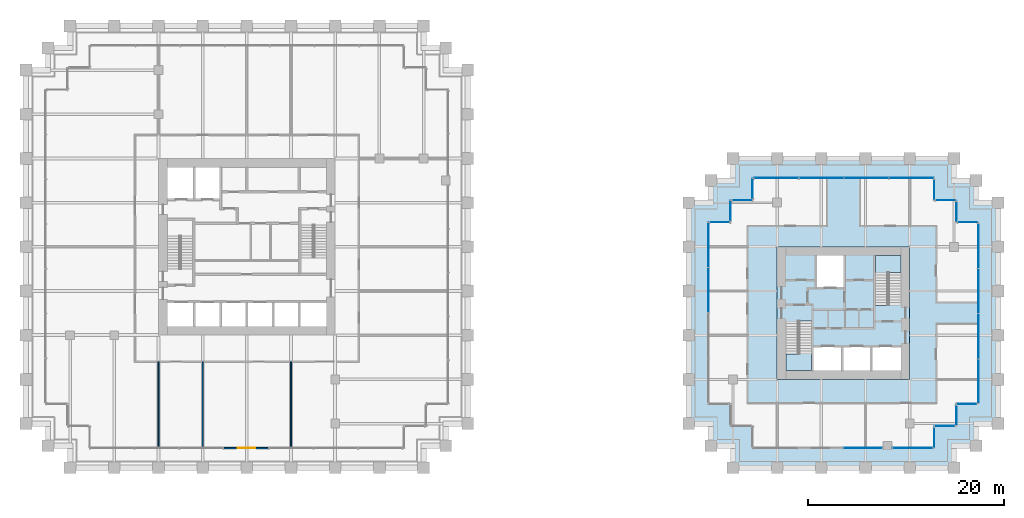
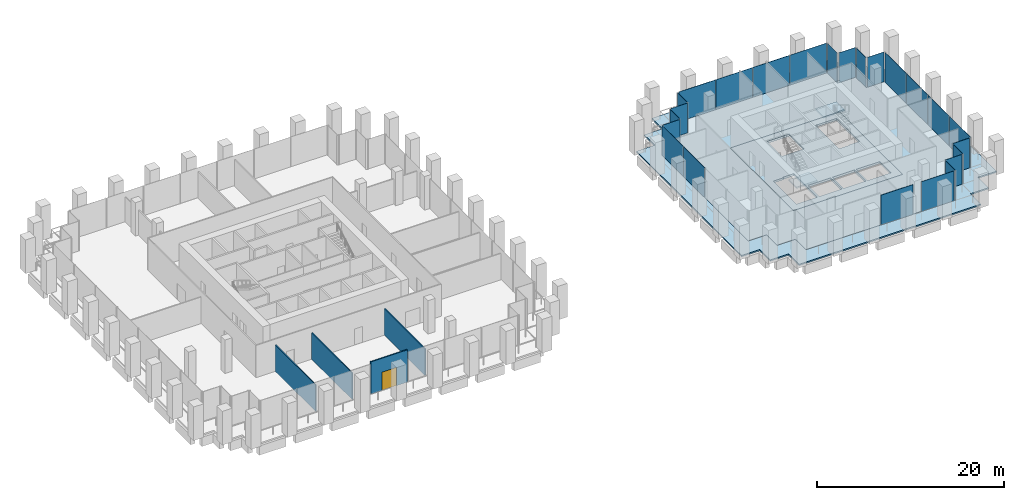
# One storey, part 29 of 36: 24 plates, 5 slabs, 4 walls, 1 door, 1 opening, 19 elements without a shape of their own.
"""IFC4 building model written with IfcOpenShell, lengths in metres."""

from ifc_helpers import new_model, si_unit, direction, frame, frame_2d, origin, origin_2d, place, context, subcontext, project, spatial, polyline, rectangle, outline, extrude, material, layer, layer_set, type_object, element, fill, aggregate, save


model = new_model("IFC4")

# Units and contexts
model_context = context("Model", 3, precision=1e-05, world=origin(), true_north=direction((0.0, 1.0)))
body_context = subcontext(model_context, "Body", "Model", "MODEL_VIEW")
ifc_project = project(units=[si_unit("LENGTHUNIT", "METRE"), si_unit("AREAUNIT", "SQUARE_METRE"), si_unit("VOLUMEUNIT", "CUBIC_METRE"), si_unit("PLANEANGLEUNIT", "RADIAN"), si_unit("MASSUNIT", "GRAM", prefix="KILO")], contexts=[model_context])

# Site, building, storey
site_placement = place(None, origin())
site = spatial("IfcSite", under=ifc_project, at=site_placement, CompositionType="ELEMENT")
building_placement = place(site_placement, origin())
building = spatial("IfcBuilding", under=site, at=building_placement, Name="Altepetl Exchange Towers", CompositionType="ELEMENT")
storey_placement = place(building_placement, frame((0.0, 0.0, 38.60009765625)))
storey = spatial("IfcBuildingStorey", under=building, at=storey_placement, Name="L08", CompositionType="ELEMENT", Elevation=38.60009765625)

# Slabs
ifc_material_1 = material(Name="Concrete C40/50", Category="concrete")
ifc_layer_1 = layer(ifc_material_1, 0.175048828125)
ifc_layer_set_1 = layer_set([ifc_layer_1], Name="Concrete C40/50")
slab_type_1 = type_object("IfcSlabType", Name="Composite floor slab 175", PredefinedType="FLOOR", material=ifc_layer_set_1)
slab_1_placement = place(storey_placement, frame((0.0, 0.0, -0.175048828125)))
element("IfcSlab", 1, at=slab_1_placement, inside=storey, type_object=slab_type_1, Name="slab:B:L08:strip0", PredefinedType="FLOOR", context=body_context, shape_type="SweptSolid", body=[
    extrude(outline(polyline([(98.75, 54.25), (98.75, 52.0), (96.5, 52.0), (96.5, 33.5), (98.75, 33.5), (98.75, 31.25), (101.0, 31.25), (101.0, 29.0), (119.5, 29.0), (119.5, 31.25), (121.75, 31.25), (121.75, 33.5), (124.0, 33.5), (124.0, 52.0), (121.75, 52.0), (121.75, 54.25), (119.5, 54.25), (119.5, 56.5), (101.0, 56.5), (101.0, 54.25), (98.75, 54.25)]), holes=[polyline([(117.0, 49.5), (117.0, 36.0), (103.5, 36.0), (103.5, 49.5), (117.0, 49.5)])]), origin(), (0.0, 0.0, 1.0), 0.175048828125),
])
ifc_layer_2 = layer(ifc_material_1, 0.27490234375)
ifc_layer_set_2 = layer_set([ifc_layer_2], Name="Concrete C40/50")
slab_type_2 = type_object("IfcSlabType", Name="Core floor slab 275", PredefinedType="FLOOR", material=ifc_layer_set_2)
slab_2_placement = place(storey_placement, frame((0.0, 0.0, -0.275146484375)))
element("IfcSlab", 2, at=slab_2_placement, inside=storey, type_object=slab_type_2, Name="slab:B:L08:core0", PredefinedType="FLOOR", context=body_context, shape_type="SweptSolid", body=[
    extrude(outline(polyline([(103.5, 36.0), (117.0, 36.0), (117.0, 49.5), (103.5, 49.5), (103.5, 36.0)]), holes=[polyline([(107.199951171875, 36.89990234375), (107.199951171875, 39.300048828125), (110.032958984375, 39.300048828125), (110.032958984375, 36.89990234375), (107.199951171875, 36.89990234375)]), polyline([(110.23291015625, 39.300048828125), (112.967041015625, 39.300048828125), (112.967041015625, 36.89990234375), (110.23291015625, 36.89990234375), (110.23291015625, 39.300048828125)]), polyline([(113.1669921875, 39.300048828125), (116.10009765625, 39.300048828125), (116.10009765625, 36.89990234375), (113.1669921875, 36.89990234375), (113.1669921875, 39.300048828125)]), polyline([(107.0, 36.89990234375), (104.39990234375, 36.89990234375), (104.39990234375, 41.85009765625), (105.64990234375, 41.85009765625), (105.64990234375, 41.948974609375), (107.0, 41.948974609375), (107.0, 36.89990234375)]), polyline([(116.10009765625, 48.60009765625), (116.10009765625, 43.64990234375), (114.85009765625, 43.64990234375), (114.85009765625, 43.551025390625), (113.5, 43.551025390625), (113.5, 48.60009765625), (116.10009765625, 48.60009765625)]), polyline([(107.532958984375, 48.60009765625), (110.26708984375, 48.60009765625), (110.26708984375, 45.39990234375), (107.532958984375, 45.39990234375), (107.532958984375, 48.60009765625)])]), origin(), (0.0, 0.0, 1.0), 0.275146484375),
])

# Curtain wall, plate
ifc_material_2 = material(Name="Aluminium 6063-T6 glazing", Category="aluminium")
curtain_wall_type = type_object("IfcCurtainWallType", Name="Trading floor glazing system", PredefinedType="NOTDEFINED", material=ifc_material_2)
curtain_wall_1_placement = place(storey_placement, origin())
curtain_wall_1 = element("IfcCurtainWall", 3, at=curtain_wall_1_placement, inside=storey, type_object=curtain_wall_type, Name="CW2 run", PredefinedType="NOTDEFINED")
ifc_material_3 = material(Name="Glass 8-20-8 solar control", Category="glass")
ifc_layer_3 = layer(ifc_material_3, 0.035888671875)
ifc_layer_set_3 = layer_set([ifc_layer_3], Name="Glass 8-20-8 solar control")
plate_type = type_object("IfcPlateType", Name="Glass panel 36 double glazed", PredefinedType="CURTAIN_PANEL", material=ifc_layer_set_3)
plate_1_placement = place(storey_placement, frame((97.675048828125, 52.0, 0.0), z_axis=(0.0, 0.0, 1.0), x_axis=(-1.0, 0.0, 0.0)))
plate_1 = element("IfcPlate", 4, at=plate_1_placement, type_object=plate_type, Name="GP2 panel", PredefinedType="CURTAIN_PANEL", context=body_context, shape_type="SweptSolid", body=[
    extrude(rectangle(XDim=2.030029296875, YDim=0.035888671875, at=origin_2d()), origin(), (0.0, 0.0, 1.0), 3.89990234375),
])
aggregate(curtain_wall_1, [plate_1])

# Curtain wall, plates
curtain_wall_2_placement = place(storey_placement, origin())
curtain_wall_2 = element("IfcCurtainWall", 5, at=curtain_wall_2_placement, inside=storey, type_object=curtain_wall_type, Name="CW2 run", PredefinedType="NOTDEFINED")
plate_2_placement = place(storey_placement, frame((96.5, 49.68505859375, 0.0), z_axis=(0.0, 0.0, 1.0), x_axis=(0.0, -1.0, 0.0)))
plate_2 = element("IfcPlate", 6, at=plate_2_placement, type_object=plate_type, Name="GP2 panel", PredefinedType="CURTAIN_PANEL", context=body_context, shape_type="SweptSolid", body=[
    extrude(rectangle(XDim=4.510009765625, YDim=0.035888671875, at=origin_2d()), origin(), (0.0, 0.0, 1.0), 3.89990234375),
])
plate_3_placement = place(storey_placement, frame((96.5, 45.10009765625, 0.0), z_axis=(0.0, 0.0, 1.0), x_axis=(0.0, -1.0, 0.0)))
plate_3 = element("IfcPlate", 7, at=plate_3_placement, type_object=plate_type, Name="GP2 panel", PredefinedType="CURTAIN_PANEL", context=body_context, shape_type="SweptSolid", body=[
    extrude(rectangle(XDim=4.5400390625, YDim=0.035888671875, at=origin_2d()), origin(), (0.0, 0.0, 1.0), 3.89990234375),
])
aggregate(curtain_wall_2, [plate_2, plate_3])

# Curtain wall, plate
curtain_wall_3_placement = place(storey_placement, origin())
curtain_wall_3 = element("IfcCurtainWall", 8, at=curtain_wall_3_placement, inside=storey, type_object=curtain_wall_type, Name="CW2 run", PredefinedType="NOTDEFINED")
plate_4_placement = place(storey_placement, frame((112.239990234375, 29.0, 0.0)))
plate_4 = element("IfcPlate", 9, at=plate_4_placement, type_object=plate_type, Name="GP2 panel", PredefinedType="CURTAIN_PANEL", context=body_context, shape_type="SweptSolid", body=[
    extrude(rectangle(XDim=3.9599609375, YDim=0.035888671875, at=origin_2d()), origin(), (0.0, 0.0, 1.0), 3.89990234375),
])
aggregate(curtain_wall_3, [plate_4])

curtain_wall_4_placement = place(storey_placement, origin())
curtain_wall_4 = element("IfcCurtainWall", 10, at=curtain_wall_4_placement, inside=storey, type_object=curtain_wall_type, Name="CW2 run", PredefinedType="NOTDEFINED")
plate_5_placement = place(storey_placement, frame((117.31005859375, 29.0, 0.0)))
plate_5 = element("IfcPlate", 11, at=plate_5_placement, type_object=plate_type, Name="GP2 panel", PredefinedType="CURTAIN_PANEL", context=body_context, shape_type="SweptSolid", body=[
    extrude(rectangle(XDim=4.06005859375, YDim=0.035888671875, at=origin_2d()), origin(), (0.0, 0.0, 1.0), 3.89990234375),
])
aggregate(curtain_wall_4, [plate_5])

curtain_wall_5_placement = place(storey_placement, origin())
curtain_wall_5 = element("IfcCurtainWall", 12, at=curtain_wall_5_placement, inside=storey, type_object=curtain_wall_type, Name="CW2 run", PredefinedType="NOTDEFINED")
plate_6_placement = place(storey_placement, frame((119.5, 30.074951171875, 0.0), z_axis=(0.0, 0.0, 1.0), x_axis=(0.0, 1.0, 0.0)))
plate_6 = element("IfcPlate", 13, at=plate_6_placement, type_object=plate_type, Name="GP2 panel", PredefinedType="CURTAIN_PANEL", context=body_context, shape_type="SweptSolid", body=[
    extrude(rectangle(XDim=2.030029296875, YDim=0.035888671875, at=origin_2d()), origin(), (0.0, 0.0, 1.0), 3.89990234375),
])
aggregate(curtain_wall_5, [plate_6])

curtain_wall_6_placement = place(storey_placement, origin())
curtain_wall_6 = element("IfcCurtainWall", 14, at=curtain_wall_6_placement, inside=storey, type_object=curtain_wall_type, Name="CW2 run", PredefinedType="NOTDEFINED")
plate_7_placement = place(storey_placement, frame((120.574951171875, 31.25, 0.0)))
plate_7 = element("IfcPlate", 15, at=plate_7_placement, type_object=plate_type, Name="GP2 panel", PredefinedType="CURTAIN_PANEL", context=body_context, shape_type="SweptSolid", body=[
    extrude(rectangle(XDim=2.030029296875, YDim=0.035888671875, at=origin_2d()), origin(), (0.0, 0.0, 1.0), 3.89990234375),
])
aggregate(curtain_wall_6, [plate_7])

curtain_wall_7_placement = place(storey_placement, origin())
curtain_wall_7 = element("IfcCurtainWall", 16, at=curtain_wall_7_placement, inside=storey, type_object=curtain_wall_type, Name="CW2 run", PredefinedType="NOTDEFINED")
plate_8_placement = place(storey_placement, frame((121.75, 32.324951171875, 0.0), z_axis=(0.0, 0.0, 1.0), x_axis=(0.0, 1.0, 0.0)))
plate_8 = element("IfcPlate", 17, at=plate_8_placement, type_object=plate_type, Name="GP2 panel", PredefinedType="CURTAIN_PANEL", context=body_context, shape_type="SweptSolid", body=[
    extrude(rectangle(XDim=2.030029296875, YDim=0.035888671875, at=origin_2d()), origin(), (0.0, 0.0, 1.0), 3.89990234375),
])
aggregate(curtain_wall_7, [plate_8])

curtain_wall_8_placement = place(storey_placement, origin())
curtain_wall_8 = element("IfcCurtainWall", 18, at=curtain_wall_8_placement, inside=storey, type_object=curtain_wall_type, Name="CW2 run", PredefinedType="NOTDEFINED")
plate_9_placement = place(storey_placement, frame((122.824951171875, 33.5, 0.0)))
plate_9 = element("IfcPlate", 19, at=plate_9_placement, type_object=plate_type, Name="GP2 panel", PredefinedType="CURTAIN_PANEL", context=body_context, shape_type="SweptSolid", body=[
    extrude(rectangle(XDim=2.030029296875, YDim=0.035888671875, at=origin_2d()), origin(), (0.0, 0.0, 1.0), 3.89990234375),
])
aggregate(curtain_wall_8, [plate_9])

# Curtain wall, plates
curtain_wall_9_placement = place(storey_placement, origin())
curtain_wall_9 = element("IfcCurtainWall", 20, at=curtain_wall_9_placement, inside=storey, type_object=curtain_wall_type, Name="CW2 run", PredefinedType="NOTDEFINED")
plate_10_placement = place(storey_placement, frame((124.0, 35.81494140625, 0.0), z_axis=(0.0, 0.0, 1.0), x_axis=(0.0, 1.0, 0.0)))
plate_10 = element("IfcPlate", 21, at=plate_10_placement, type_object=plate_type, Name="GP2 panel", PredefinedType="CURTAIN_PANEL", context=body_context, shape_type="SweptSolid", body=[
    extrude(rectangle(XDim=4.510009765625, YDim=0.035888671875, at=origin_2d()), origin(), (0.0, 0.0, 1.0), 3.89990234375),
])
plate_11_placement = place(storey_placement, frame((124.0, 40.39990234375, 0.0), z_axis=(0.0, 0.0, 1.0), x_axis=(0.0, 1.0, 0.0)))
plate_11 = element("IfcPlate", 22, at=plate_11_placement, type_object=plate_type, Name="GP2 panel", PredefinedType="CURTAIN_PANEL", context=body_context, shape_type="SweptSolid", body=[
    extrude(rectangle(XDim=4.5400390625, YDim=0.035888671875, at=origin_2d()), origin(), (0.0, 0.0, 1.0), 3.89990234375),
])
plate_12_placement = place(storey_placement, frame((124.0, 45.0, 0.0), z_axis=(0.0, 0.0, 1.0), x_axis=(0.0, 1.0, 0.0)))
plate_12 = element("IfcPlate", 23, at=plate_12_placement, type_object=plate_type, Name="GP2 panel", PredefinedType="CURTAIN_PANEL", context=body_context, shape_type="SweptSolid", body=[
    extrude(rectangle(XDim=4.5400390625, YDim=0.035888671875, at=origin_2d()), origin(), (0.0, 0.0, 1.0), 3.89990234375),
])
plate_13_placement = place(storey_placement, frame((124.0, 49.5849609375, 0.0), z_axis=(0.0, 0.0, 1.0), x_axis=(0.0, 1.0, 0.0)))
plate_13 = element("IfcPlate", 24, at=plate_13_placement, type_object=plate_type, Name="GP2 panel", PredefinedType="CURTAIN_PANEL", context=body_context, shape_type="SweptSolid", body=[
    extrude(rectangle(XDim=4.510009765625, YDim=0.035888671875, at=origin_2d()), origin(), (0.0, 0.0, 1.0), 3.89990234375),
])
aggregate(curtain_wall_9, [plate_10, plate_11, plate_12, plate_13])

# Curtain wall, plate
curtain_wall_10_placement = place(storey_placement, origin())
curtain_wall_10 = element("IfcCurtainWall", 25, at=curtain_wall_10_placement, inside=storey, type_object=curtain_wall_type, Name="CW2 run", PredefinedType="NOTDEFINED")
plate_14_placement = place(storey_placement, frame((122.925048828125, 52.0, 0.0), z_axis=(0.0, 0.0, 1.0), x_axis=(-1.0, 0.0, 0.0)))
plate_14 = element("IfcPlate", 26, at=plate_14_placement, type_object=plate_type, Name="GP2 panel", PredefinedType="CURTAIN_PANEL", context=body_context, shape_type="SweptSolid", body=[
    extrude(rectangle(XDim=2.030029296875, YDim=0.035888671875, at=origin_2d()), origin(), (0.0, 0.0, 1.0), 3.89990234375),
])
aggregate(curtain_wall_10, [plate_14])

curtain_wall_11_placement = place(storey_placement, origin())
curtain_wall_11 = element("IfcCurtainWall", 27, at=curtain_wall_11_placement, inside=storey, type_object=curtain_wall_type, Name="CW2 run", PredefinedType="NOTDEFINED")
plate_15_placement = place(storey_placement, frame((121.75, 53.074951171875, 0.0), z_axis=(0.0, 0.0, 1.0), x_axis=(0.0, 1.0, 0.0)))
plate_15 = element("IfcPlate", 28, at=plate_15_placement, type_object=plate_type, Name="GP2 panel", PredefinedType="CURTAIN_PANEL", context=body_context, shape_type="SweptSolid", body=[
    extrude(rectangle(XDim=2.030029296875, YDim=0.035888671875, at=origin_2d()), origin(), (0.0, 0.0, 1.0), 3.89990234375),
])
aggregate(curtain_wall_11, [plate_15])

curtain_wall_12_placement = place(storey_placement, origin())
curtain_wall_12 = element("IfcCurtainWall", 29, at=curtain_wall_12_placement, inside=storey, type_object=curtain_wall_type, Name="CW2 run", PredefinedType="NOTDEFINED")
plate_16_placement = place(storey_placement, frame((120.675048828125, 54.25, 0.0), z_axis=(0.0, 0.0, 1.0), x_axis=(-1.0, 0.0, 0.0)))
plate_16 = element("IfcPlate", 30, at=plate_16_placement, type_object=plate_type, Name="GP2 panel", PredefinedType="CURTAIN_PANEL", context=body_context, shape_type="SweptSolid", body=[
    extrude(rectangle(XDim=2.030029296875, YDim=0.035888671875, at=origin_2d()), origin(), (0.0, 0.0, 1.0), 3.89990234375),
])
aggregate(curtain_wall_12, [plate_16])

curtain_wall_13_placement = place(storey_placement, origin())
curtain_wall_13 = element("IfcCurtainWall", 31, at=curtain_wall_13_placement, inside=storey, type_object=curtain_wall_type, Name="CW2 run", PredefinedType="NOTDEFINED")
plate_17_placement = place(storey_placement, frame((119.5, 55.324951171875, 0.0), z_axis=(0.0, 0.0, 1.0), x_axis=(0.0, 1.0, 0.0)))
plate_17 = element("IfcPlate", 32, at=plate_17_placement, type_object=plate_type, Name="GP2 panel", PredefinedType="CURTAIN_PANEL", context=body_context, shape_type="SweptSolid", body=[
    extrude(rectangle(XDim=2.030029296875, YDim=0.035888671875, at=origin_2d()), origin(), (0.0, 0.0, 1.0), 3.89990234375),
])
aggregate(curtain_wall_13, [plate_17])

# Curtain wall, plates
curtain_wall_14_placement = place(storey_placement, origin())
curtain_wall_14 = element("IfcCurtainWall", 33, at=curtain_wall_14_placement, inside=storey, type_object=curtain_wall_type, Name="CW2 run", PredefinedType="NOTDEFINED")
plate_18_placement = place(storey_placement, frame((117.18505859375, 56.5, 0.0), z_axis=(0.0, 0.0, 1.0), x_axis=(-1.0, 0.0, 0.0)))
plate_18 = element("IfcPlate", 34, at=plate_18_placement, type_object=plate_type, Name="GP2 panel", PredefinedType="CURTAIN_PANEL", context=body_context, shape_type="SweptSolid", body=[
    extrude(rectangle(XDim=4.510009765625, YDim=0.035888671875, at=origin_2d()), origin(), (0.0, 0.0, 1.0), 3.89990234375),
])
plate_19_placement = place(storey_placement, frame((112.60009765625, 56.5, 0.0), z_axis=(0.0, 0.0, 1.0), x_axis=(-1.0, 0.0, 0.0)))
plate_19 = element("IfcPlate", 35, at=plate_19_placement, type_object=plate_type, Name="GP2 panel", PredefinedType="CURTAIN_PANEL", context=body_context, shape_type="SweptSolid", body=[
    extrude(rectangle(XDim=4.5400390625, YDim=0.035888671875, at=origin_2d()), origin(), (0.0, 0.0, 1.0), 3.89990234375),
])
plate_20_placement = place(storey_placement, frame((108.0, 56.5, 0.0), z_axis=(0.0, 0.0, 1.0), x_axis=(-1.0, 0.0, 0.0)))
plate_20 = element("IfcPlate", 36, at=plate_20_placement, type_object=plate_type, Name="GP2 panel", PredefinedType="CURTAIN_PANEL", context=body_context, shape_type="SweptSolid", body=[
    extrude(rectangle(XDim=4.5400390625, YDim=0.035888671875, at=origin_2d()), origin(), (0.0, 0.0, 1.0), 3.89990234375),
])
plate_21_placement = place(storey_placement, frame((103.4150390625, 56.5, 0.0), z_axis=(0.0, 0.0, 1.0), x_axis=(-1.0, 0.0, 0.0)))
plate_21 = element("IfcPlate", 37, at=plate_21_placement, type_object=plate_type, Name="GP2 panel", PredefinedType="CURTAIN_PANEL", context=body_context, shape_type="SweptSolid", body=[
    extrude(rectangle(XDim=4.510009765625, YDim=0.035888671875, at=origin_2d()), origin(), (0.0, 0.0, 1.0), 3.89990234375),
])
aggregate(curtain_wall_14, [plate_18, plate_19, plate_20, plate_21])

# Curtain wall, plate
curtain_wall_15_placement = place(storey_placement, origin())
curtain_wall_15 = element("IfcCurtainWall", 38, at=curtain_wall_15_placement, inside=storey, type_object=curtain_wall_type, Name="CW2 run", PredefinedType="NOTDEFINED")
plate_22_placement = place(storey_placement, frame((101.0, 55.425048828125, 0.0), z_axis=(0.0, 0.0, 1.0), x_axis=(0.0, -1.0, 0.0)))
plate_22 = element("IfcPlate", 39, at=plate_22_placement, type_object=plate_type, Name="GP2 panel", PredefinedType="CURTAIN_PANEL", context=body_context, shape_type="SweptSolid", body=[
    extrude(rectangle(XDim=2.030029296875, YDim=0.035888671875, at=origin_2d()), origin(), (0.0, 0.0, 1.0), 3.89990234375),
])
aggregate(curtain_wall_15, [plate_22])

curtain_wall_16_placement = place(storey_placement, origin())
curtain_wall_16 = element("IfcCurtainWall", 40, at=curtain_wall_16_placement, inside=storey, type_object=curtain_wall_type, Name="CW2 run", PredefinedType="NOTDEFINED")
plate_23_placement = place(storey_placement, frame((99.925048828125, 54.25, 0.0), z_axis=(0.0, 0.0, 1.0), x_axis=(-1.0, 0.0, 0.0)))
plate_23 = element("IfcPlate", 41, at=plate_23_placement, type_object=plate_type, Name="GP2 panel", PredefinedType="CURTAIN_PANEL", context=body_context, shape_type="SweptSolid", body=[
    extrude(rectangle(XDim=2.030029296875, YDim=0.035888671875, at=origin_2d()), origin(), (0.0, 0.0, 1.0), 3.89990234375),
])
aggregate(curtain_wall_16, [plate_23])

curtain_wall_17_placement = place(storey_placement, origin())
curtain_wall_17 = element("IfcCurtainWall", 42, at=curtain_wall_17_placement, inside=storey, type_object=curtain_wall_type, Name="CW2 run", PredefinedType="NOTDEFINED")
plate_24_placement = place(storey_placement, frame((98.75, 53.175048828125, 0.0), z_axis=(0.0, 0.0, 1.0), x_axis=(0.0, -1.0, 0.0)))
plate_24 = element("IfcPlate", 43, at=plate_24_placement, type_object=plate_type, Name="GP2 panel", PredefinedType="CURTAIN_PANEL", context=body_context, shape_type="SweptSolid", body=[
    extrude(rectangle(XDim=2.030029296875, YDim=0.035888671875, at=origin_2d()), origin(), (0.0, 0.0, 1.0), 3.89990234375),
])
aggregate(curtain_wall_17, [plate_24])

# Slab
ifc_layer_4 = layer(ifc_material_1, 0.175048828125)
ifc_layer_set_4 = layer_set([ifc_layer_4], Name="Concrete C40/50")
slab_type_3 = type_object("IfcSlabType", Name="Loggia slab 175", PredefinedType="FLOOR", material=ifc_layer_set_4)
slab_3_placement = place(storey_placement, frame((0.0, 0.0, -0.175048828125)))
element("IfcSlab", 44, at=slab_3_placement, inside=storey, type_object=slab_type_3, Name="slab:B:L08:loggia0", PredefinedType="FLOOR", context=body_context, shape_type="SweptSolid", body=[
    extrude(outline(polyline([(96.75, 54.0), (94.5, 54.0), (94.5, 36.0), (94.5, 31.5), (96.75, 31.5), (96.75, 29.25), (99.0, 29.25), (99.0, 27.0), (117.0, 27.0), (121.5, 27.0), (121.5, 29.25), (123.75, 29.25), (123.75, 31.5), (126.0, 31.5), (126.0, 49.5), (126.0, 54.0), (123.75, 54.0), (123.75, 56.25), (121.5, 56.25), (121.5, 58.5), (103.5, 58.5), (99.0, 58.5), (99.0, 56.25), (96.75, 56.25), (96.75, 54.0)]), holes=[polyline([(96.5, 52.0), (98.75, 52.0), (98.75, 54.25), (101.0, 54.25), (101.0, 56.5), (119.5, 56.5), (119.5, 54.25), (121.75, 54.25), (121.75, 52.0), (124.0, 52.0), (124.0, 33.5), (121.75, 33.5), (121.75, 31.25), (119.5, 31.25), (119.5, 29.0), (101.0, 29.0), (101.0, 31.25), (98.75, 31.25), (98.75, 33.5), (96.5, 33.5), (96.5, 52.0)])]), origin(), (0.0, 0.0, 1.0), 0.175048828125),
])

# Stair, slab
stair_type = type_object("IfcStairType", Name="Exit stair 1250 flights dogleg", PredefinedType="HALF_TURN_STAIR", material=ifc_material_1)
stair_1_placement = place(storey_placement, origin())
stair_1 = element("IfcStair", 45, at=stair_1_placement, inside=storey, type_object=stair_type, Name="Exit stair 1", PredefinedType="HALF_TURN_STAIR")
ifc_layer_5 = layer(ifc_material_1, 0.199951171875)
ifc_layer_set_5 = layer_set([ifc_layer_5], Name="Concrete C40/50")
slab_type_4 = type_object("IfcSlabType", Name="Stair landing 200 reinforced concrete", PredefinedType="LANDING", material=ifc_layer_set_5)
slab_4_placement = place(storey_placement, frame((0.0, 0.0, 2.0)))
slab_4 = element("IfcSlab", 46, at=slab_4_placement, type_object=slab_type_4, Name="ST-B1b landing 1", PredefinedType="LANDING", context=body_context, shape_type="SweptSolid", body=[
    extrude(outline(polyline([(107.0, 36.89990234375), (104.39990234375, 36.89990234375), (104.39990234375, 38.590087890625), (104.39990234375, 38.5908203125), (105.64990234375, 38.5908203125), (105.64990234375, 38.590087890625), (105.75, 38.590087890625), (105.75, 38.68994140625), (107.0, 38.68994140625), (107.0, 38.590087890625), (107.0, 36.89990234375)])), origin(), (0.0, 0.0, 1.0), 0.199951171875),
])
aggregate(stair_1, [slab_4])

stair_2_placement = place(storey_placement, origin())
stair_2 = element("IfcStair", 47, at=stair_2_placement, inside=storey, type_object=stair_type, Name="Exit stair 2", PredefinedType="HALF_TURN_STAIR")
slab_5_placement = place(storey_placement, frame((0.0, 0.0, 2.0)))
slab_5 = element("IfcSlab", 48, at=slab_5_placement, type_object=slab_type_4, Name="ST-B2b landing 1", PredefinedType="LANDING", context=body_context, shape_type="SweptSolid", body=[
    extrude(outline(polyline([(114.75, 46.81005859375), (113.5, 46.81005859375), (113.5, 46.909912109375), (113.5, 48.60009765625), (116.10009765625, 48.60009765625), (116.10009765625, 46.909912109375), (116.10009765625, 46.9091796875), (114.85009765625, 46.9091796875), (114.85009765625, 46.909912109375), (114.75, 46.909912109375), (114.75, 46.81005859375)])), origin(), (0.0, 0.0, 1.0), 0.199951171875),
])
aggregate(stair_2, [slab_5])

# Wall, opening, door
ifc_material_4 = material(Name="Aluminium composite cladding", Category="aluminium")
ifc_layer_6 = layer(ifc_material_4, 0.14990234375)
ifc_layer_set_6 = layer_set([ifc_layer_6], Name="Aluminium composite cladding")
wall_type_1 = type_object("IfcWallType", Name="Infill wall 150 aluminium panel", PredefinedType="SOLIDWALL", material=ifc_layer_set_6)
wall_placement = place(storey_placement, frame((47.17138671875, 29.0, 0.0)))
wall = element("IfcWall", 49, at=wall_placement, inside=storey, type_object=wall_type_1, Name="Loggia door bay wall", PredefinedType="SOLIDWALL", context=body_context, shape_type="SweptSolid", body=[
    extrude(rectangle(XDim=4.55712890625, YDim=0.14990234375, at=frame_2d((2.278564453125, 0.0))), origin(), (0.0, 0.0, 1.0), 4.224853515625),
])
opening_placement = place(wall_placement, frame((1.378662109375, 0.0, 0.0)))
opening = element("IfcOpeningElement", 50, at=opening_placement, cuts=wall, Name="Opening L08.A90", PredefinedType="OPENING", context=body_context, shape_type="SweptSolid", body=[
    extrude(rectangle(XDim=1.800048828125, YDim=2.39990234375, at=frame_2d((0.89990234375, 1.199951171875))), frame((0.0, 0.0849609375, 0.0), z_axis=(0.0, -1.0, 0.0), x_axis=(1.0, 0.0, 0.0)), (0.0, 0.0, 1.0), 0.169921875),
])
ifc_material_5 = material(Name="Aluminium 6063-T6 and glass", Category="aluminium")
door_type = type_object("IfcDoorType", Name="Glazed door pair 1800x2400", OperationType="DOUBLE_DOOR_DOUBLE_SWING", PredefinedType="NOTDEFINED", material=ifc_material_5)
door_placement = place(opening_placement, frame((1.800048828125, 0.0, 0.0), x_axis=(-1.0, 0.0, 0.0)))
door = element("IfcDoor", 51, at=door_placement, inside=storey, type_object=door_type, Name="Loggia door", OperationType="DOUBLE_DOOR_DOUBLE_SWING", OverallHeight=2.39990234375, OverallWidth=1.800048828125, PredefinedType="NOTDEFINED", context=body_context, shape_type="SweptSolid", body=[
    extrude(rectangle(XDim=1.800048828125, YDim=2.39990234375, at=frame_2d((0.89990234375, 1.199951171875))), frame((0.0, 0.02490234375, 0.0), z_axis=(0.0, -1.0, 0.0), x_axis=(1.0, 0.0, 0.0)), (0.0, 0.0, 1.0), 0.050048828125),
])
fill(opening, door)

# Walls
ifc_material_6 = material(Name="Gypsum board on steel studs", Category="steel")
ifc_layer_7 = layer(ifc_material_6, 0.125)
ifc_layer_set_7 = layer_set([ifc_layer_7], Name="Gypsum board on steel studs")
wall_type_2 = type_object("IfcWallType", Name="Partition 125 gypsum board on steel studs", PredefinedType="PARTITIONING", material=ifc_layer_set_7)
for number, where, z_axis, x_axis, name in (
    (52, (40.5, 29.10009765625, 0.0), (0.0, 0.0, 1.0), (0.0, 1.0, 0.0), "wall:A:L08:P11"),
    (53, (45.0, 29.10009765625, 0.0), (0.0, 0.0, 1.0), (0.0, 1.0, 0.0), "wall:A:L08:P15"),
    (54, (54.0, 29.10009765625, 0.0), (0.0, 0.0, 1.0), (0.0, 1.0, 0.0), "wall:A:L08:P17"),
):
    element("IfcWall", number, at=place(storey_placement, frame(where, z_axis=z_axis, x_axis=x_axis)), inside=storey, type_object=wall_type_2, Name=name, PredefinedType="PARTITIONING", context=body_context, shape_type="SweptSolid", body=[
        extrude(rectangle(XDim=8.699951171875, YDim=0.125, at=frame_2d((4.35009765625, 0.0))), origin(), (0.0, 0.0, 1.0), 3.466796875),
    ])

save(model, "model.ifc")
